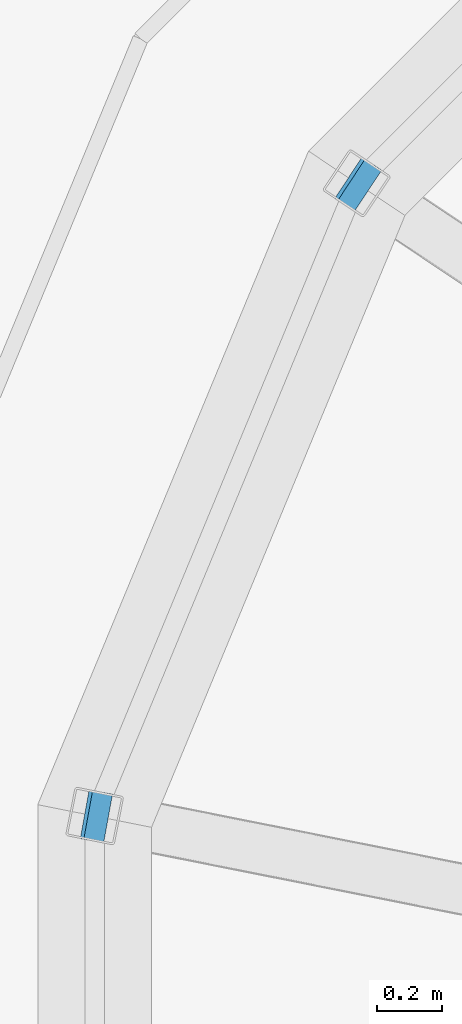
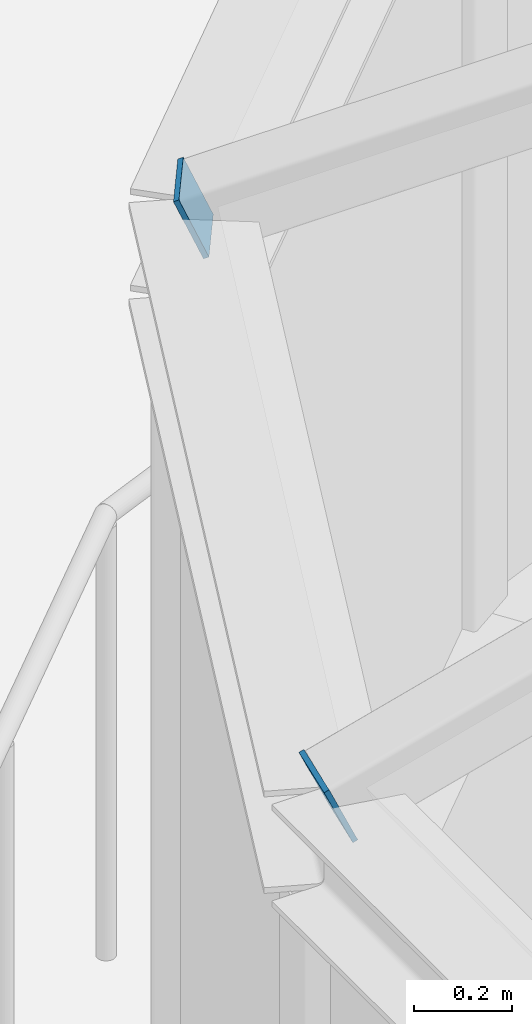
# One storey, part 22 of 32: 2 discrete accessories, 2 elements without a shape of their own.
"""IFC4 building model written with IfcOpenShell, lengths in metres."""

from ifc_helpers import new_model, si_unit, direction, frame, origin, origin_2d, place, context, subcontext, project, spatial, rectangle, extrude, material, layer, layer_set, type_object, element, aggregate, save


model = new_model("IFC4")

# Units and contexts
model_context = context("Model", 3, precision=1e-05, world=origin(), true_north=direction((0.0, 1.0)))
body_context = subcontext(model_context, "Body", "Model", "MODEL_VIEW")
ifc_project = project(units=[si_unit("LENGTHUNIT", "METRE"), si_unit("AREAUNIT", "SQUARE_METRE"), si_unit("VOLUMEUNIT", "CUBIC_METRE"), si_unit("PLANEANGLEUNIT", "RADIAN"), si_unit("MASSUNIT", "GRAM", prefix="KILO")], contexts=[model_context])

# Site, building, storey
site_placement = place(None, origin())
site = spatial("IfcSite", under=ifc_project, at=site_placement, CompositionType="ELEMENT")
building_placement = place(site_placement, origin())
building = spatial("IfcBuilding", under=site, at=building_placement, Name="Verdalira Terraces Hotel", CompositionType="ELEMENT")
storey_placement = place(building_placement, frame((0.0, 0.0, 315.0)))
storey = spatial("IfcBuildingStorey", under=building, at=storey_placement, Name="L78", CompositionType="ELEMENT", Elevation=315.0)

# Curtain wall, discrete accessory
ifc_material = material(Name="Clear laminated glass", Category="glass")
ifc_layer = layer(ifc_material, 0.14990234375)
ifc_layer_set = layer_set([ifc_layer], Name="Atrium lantern curtain wall")
curtain_wall_type = type_object("IfcCurtainWallType", Name="Atrium lantern curtain wall", PredefinedType="NOTDEFINED", material=ifc_layer_set)
curtain_wall_1_placement = place(storey_placement, origin())
curtain_wall_1 = element("IfcCurtainWall", 1, at=curtain_wall_1_placement, inside=storey, type_object=curtain_wall_type, Name="Atrium lantern curtain wall facet 7", PredefinedType="NOTDEFINED")
discrete_accessory_1_placement = place(storey_placement, frame((-4.48999, 3.0, 3.526611), z_axis=(0.764756279, -0.503129131, 0.402503305), x_axis=(0.549616501, 0.835417082, 0.0)))
discrete_accessory_1 = element("IfcDiscreteAccessory", 2, at=discrete_accessory_1_placement, Name="End cap plate", PredefinedType="ANCHORPLATE", context=body_context, shape_type="SweptSolid", body=[
    extrude(rectangle(XDim=0.152344, YDim=0.152344, at=origin_2d()), origin(), (0.0, 0.0, 1.0), 0.012207),
])
aggregate(curtain_wall_1, [discrete_accessory_1])

curtain_wall_2_placement = place(storey_placement, origin())
curtain_wall_2 = element("IfcCurtainWall", 3, at=curtain_wall_2_placement, inside=storey, type_object=curtain_wall_type, Name="Atrium lantern curtain wall facet 8", PredefinedType="NOTDEFINED")
discrete_accessory_2_placement = place(storey_placement, frame((-5.296143, 1.053467, 3.526611), z_axis=(0.898146239, -0.163299316, 0.40824829), x_axis=(0.178885438, 0.98386991, 0.0)))
discrete_accessory_2 = element("IfcDiscreteAccessory", 4, at=discrete_accessory_2_placement, Name="End cap plate", PredefinedType="ANCHORPLATE", context=body_context, shape_type="SweptSolid", body=[
    extrude(rectangle(XDim=0.152344, YDim=0.152344, at=origin_2d()), origin(), (0.0, 0.0, 1.0), 0.011963),
])
aggregate(curtain_wall_2, [discrete_accessory_2])

save(model, "model.ifc")
